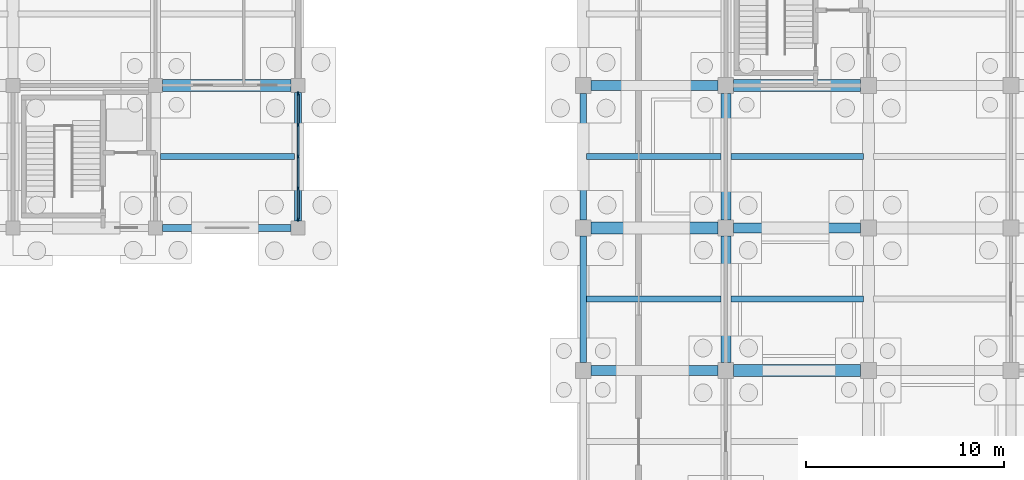
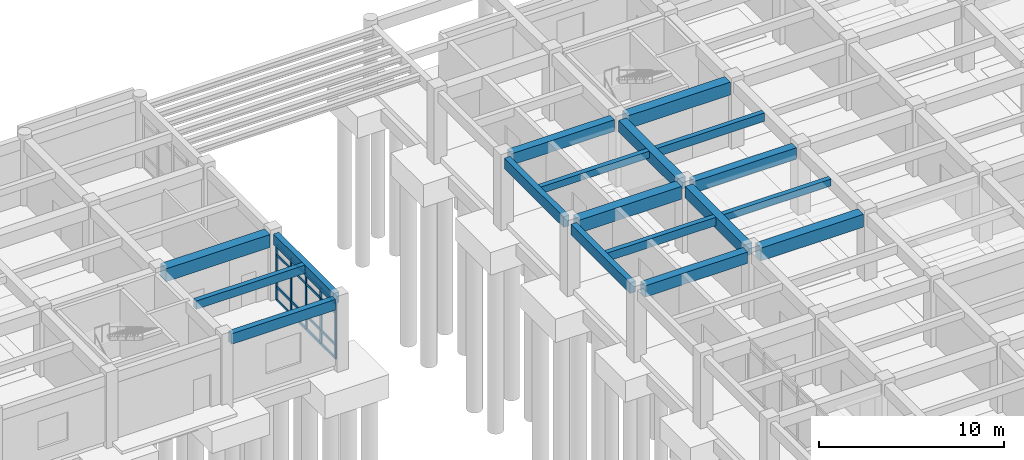
# One storey, part 32 of 79: 21 members, 18 beams, 1 element without a shape of its own.
"""IFC4 building model written with IfcOpenShell, lengths in metres."""

from ifc_helpers import new_model, si_unit, direction, frame, origin, origin_2d, place, context, subcontext, project, spatial, rectangle, extrude, material, layer, layer_set, material_profile, profile_set, type_object, element, aggregate, save


model = new_model("IFC4")

# Units and contexts
model_context = context("Model", 3, precision=1e-05, world=origin(), true_north=direction((0.0, 1.0)))
body_context = subcontext(model_context, "Body", "Model", "MODEL_VIEW")
ifc_project = project(units=[si_unit("LENGTHUNIT", "METRE"), si_unit("AREAUNIT", "SQUARE_METRE"), si_unit("VOLUMEUNIT", "CUBIC_METRE"), si_unit("PLANEANGLEUNIT", "RADIAN"), si_unit("MASSUNIT", "GRAM", prefix="KILO")], contexts=[model_context])

# Site, building, storey
site_placement = place(None, origin())
site = spatial("IfcSite", under=ifc_project, at=site_placement, CompositionType="ELEMENT")
building_placement = place(site_placement, origin())
building = spatial("IfcBuilding", under=site, at=building_placement, Name="Kavelor Marine Aquarium", CompositionType="ELEMENT")
storey_placement = place(building_placement, origin())
storey = spatial("IfcBuildingStorey", under=building, at=storey_placement, Name="L00", CompositionType="ELEMENT", Elevation=0.0)

# Beams
ifc_material_1 = material(Name="Concrete C40/50", Category="concrete")
ifc_material_profile_1 = material_profile(ifc_material_1, rectangle(XDim=0.60009765625, YDim=0.85009765625, at=origin_2d()), Name="RC-BM 600x850")
ifc_profile_set_1 = profile_set([ifc_material_profile_1], Name="Concrete C40/50")
beam_type_1 = type_object("IfcBeamType", Name="BM-B1", PredefinedType="BEAM", material=ifc_profile_set_1)
beam_1_placement = place(storey_placement, frame((97.14990234375, 96.39990234375, 3.955078125), z_axis=(1.0, 0.0, 0.0), x_axis=(0.0, 1.0, 0.0)))
element("IfcBeam", 1, at=beam_1_placement, inside=storey, type_object=beam_type_1, Name="bm:x:L00:L01:13_13", PredefinedType="BEAM", context=body_context, shape_type="SweptSolid", body=[
    extrude(rectangle(XDim=0.60009765625, YDim=0.85009765625, at=origin_2d()), origin(), (0.0, 0.0, 1.0), 6.5),
])
for number, where, z_axis, x_axis, name in (
    (2, (118.800048828125, 89.199951171875, 3.955078125), (1.0, 0.0, 0.0), (0.0, 1.0, 0.0), "bm:x:L00:L01:16_12"),
    (3, (126.0, 82.0, 3.955078125), (1.0, 0.0, 0.0), (0.0, 1.0, 0.0), "bm:x:L00:L01:17_11"),
    (4, (126.0, 96.39990234375, 3.955078125), (1.0, 0.0, 0.0), (0.0, 1.0, 0.0), "bm:x:L00:L01:17_13"),
):
    element("IfcBeam", number, at=place(storey_placement, frame(where, z_axis=z_axis, x_axis=x_axis)), inside=storey, type_object=beam_type_1, Name=name, PredefinedType="BEAM", context=body_context, shape_type="SweptSolid", body=[
        extrude(rectangle(XDim=0.60009765625, YDim=0.85009765625, at=origin_2d()), origin(), (0.0, 0.0, 1.0), 6.39990234375),
    ])
ifc_material_2 = material(Name="Concrete C40/50", Category="concrete")
ifc_material_profile_2 = material_profile(ifc_material_2, rectangle(XDim=0.5, YDim=0.75, at=origin_2d()), Name="RC-BM 500x750")
ifc_profile_set_2 = profile_set([ifc_material_profile_2], Name="Concrete C40/50")
beam_type_2 = type_object("IfcBeamType", Name="BM-B2", PredefinedType="BEAM", material=ifc_profile_set_2)
for number, where, z_axis, x_axis, name in (
    (5, (118.800048828125, 82.0, 4.0048828125), (1.0, 0.0, 0.0), (0.0, 1.0, 0.0), "bm:x:L00:L01:16_11"),
    (6, (118.800048828125, 96.39990234375, 4.0048828125), (1.0, 0.0, 0.0), (0.0, 1.0, 0.0), "bm:x:L00:L01:16_13"),
    (7, (126.0, 89.199951171875, 4.0048828125), (1.0, 0.0, 0.0), (0.0, 1.0, 0.0), "bm:x:L00:L01:17_12"),
):
    element("IfcBeam", number, at=place(storey_placement, frame(where, z_axis=z_axis, x_axis=x_axis)), inside=storey, type_object=beam_type_2, Name=name, PredefinedType="BEAM", context=body_context, shape_type="SweptSolid", body=[
        extrude(rectangle(XDim=0.5, YDim=0.75, at=origin_2d()), origin(), (0.0, 0.0, 1.0), 6.39990234375),
    ])
beam_2_placement = place(storey_placement, frame((125.60009765625, 82.39990234375, 4.0048828125), z_axis=(0.0, 1.0, 0.0), x_axis=(-1.0, 0.0, 0.0)))
element("IfcBeam", 8, at=beam_2_placement, inside=storey, type_object=beam_type_2, Name="bm:y:L00:L01:17_11", PredefinedType="BEAM", context=body_context, shape_type="SweptSolid", body=[
    extrude(rectangle(XDim=0.5, YDim=0.75, at=origin_2d()), origin(), (0.0, 0.0, 1.0), 6.400146484375),
])
beam_3_placement = place(storey_placement, frame((125.60009765625, 89.60009765625, 4.0048828125), z_axis=(0.0, 1.0, 0.0), x_axis=(-1.0, 0.0, 0.0)))
element("IfcBeam", 9, at=beam_3_placement, inside=storey, type_object=beam_type_2, Name="bm:y:L00:L01:17_12", PredefinedType="BEAM", context=body_context, shape_type="SweptSolid", body=[
    extrude(rectangle(XDim=0.5, YDim=0.75, at=origin_2d()), origin(), (0.0, 0.0, 1.0), 6.39990234375),
])
ifc_material_3 = material(Name="Concrete C40/50", Category="concrete")
ifc_material_profile_3 = material_profile(ifc_material_3, rectangle(XDim=0.300048828125, YDim=0.449951171875, at=origin_2d()), Name="RC-JS 300x450")
ifc_profile_set_3 = profile_set([ifc_material_profile_3], Name="Concrete C40/50")
beam_type_3 = type_object("IfcBeamType", Name="BM-JS1", PredefinedType="JOIST", material=ifc_profile_set_3)
beam_4_placement = place(storey_placement, frame((118.574951171875, 92.800048828125, 4.155029296875), z_axis=(1.0, 0.0, 0.0), x_axis=(0.0, 1.0, 0.0)))
element("IfcBeam", 10, at=beam_4_placement, inside=storey, type_object=beam_type_3, Name="js:L00:L01:16_12", PredefinedType="JOIST", context=body_context, shape_type="SweptSolid", body=[
    extrude(rectangle(XDim=0.300048828125, YDim=0.449951171875, at=origin_2d()), origin(), (0.0, 0.0, 1.0), 6.775146484375),
])
beam_5_placement = place(storey_placement, frame((125.85009765625, 85.60009765625, 4.155029296875), z_axis=(1.0, 0.0, 0.0), x_axis=(0.0, 1.0, 0.0)))
element("IfcBeam", 11, at=beam_5_placement, inside=storey, type_object=beam_type_3, Name="js:L00:L01:17_11", PredefinedType="JOIST", context=body_context, shape_type="SweptSolid", body=[
    extrude(rectangle(XDim=0.300048828125, YDim=0.449951171875, at=origin_2d()), origin(), (0.0, 0.0, 1.0), 6.699951171875),
])
ifc_material_4 = material(Name="Concrete C40/50", Category="concrete")
ifc_material_profile_4 = material_profile(ifc_material_4, rectangle(XDim=0.300048828125, YDim=0.550048828125, at=origin_2d()), Name="RC-JS 300x550")
ifc_profile_set_4 = profile_set([ifc_material_profile_4], Name="Concrete C40/50")
beam_type_4 = type_object("IfcBeamType", Name="BM-JS2", PredefinedType="JOIST", material=ifc_profile_set_4)
beam_6_placement = place(storey_placement, frame((97.050048828125, 92.800048828125, 4.10498046875), z_axis=(1.0, 0.0, 0.0), x_axis=(0.0, 1.0, 0.0)))
element("IfcBeam", 12, at=beam_6_placement, inside=storey, type_object=beam_type_4, Name="js:L00:L01:13_12", PredefinedType="JOIST", context=body_context, shape_type="SweptSolid", body=[
    extrude(rectangle(XDim=0.300048828125, YDim=0.550048828125, at=origin_2d()), origin(), (0.0, 0.0, 1.0), 6.77490234375),
])
beam_7_placement = place(storey_placement, frame((118.574951171875, 85.60009765625, 4.10498046875), z_axis=(1.0, 0.0, 0.0), x_axis=(0.0, 1.0, 0.0)))
element("IfcBeam", 13, at=beam_7_placement, inside=storey, type_object=beam_type_4, Name="js:L00:L01:16_11", PredefinedType="JOIST", context=body_context, shape_type="SweptSolid", body=[
    extrude(rectangle(XDim=0.300048828125, YDim=0.550048828125, at=origin_2d()), origin(), (0.0, 0.0, 1.0), 6.775146484375),
])
beam_8_placement = place(storey_placement, frame((125.85009765625, 92.800048828125, 4.10498046875), z_axis=(1.0, 0.0, 0.0), x_axis=(0.0, 1.0, 0.0)))
element("IfcBeam", 14, at=beam_8_placement, inside=storey, type_object=beam_type_4, Name="js:L00:L01:17_12", PredefinedType="JOIST", context=body_context, shape_type="SweptSolid", body=[
    extrude(rectangle(XDim=0.300048828125, YDim=0.550048828125, at=origin_2d()), origin(), (0.0, 0.0, 1.0), 6.699951171875),
])
ifc_material_5 = material(Name="Concrete C40/50", Category="concrete")
ifc_material_profile_5 = material_profile(ifc_material_5, rectangle(XDim=0.35009765625, YDim=0.699951171875, at=origin_2d()), Name="RC-SP 350x700")
ifc_profile_set_5 = profile_set([ifc_material_profile_5], Name="Concrete C40/50")
beam_type_5 = type_object("IfcBeamType", Name="BM-SP1", PredefinedType="SPANDREL", material=ifc_profile_set_5)
for number, where, z_axis, x_axis, name in (
    (15, (97.14990234375, 89.199951171875, 4.030029296875), (1.0, 0.0, 0.0), (0.0, 1.0, 0.0), "bm:x:L00:L01:13_12"),
    (16, (104.0, 89.550048828125, 4.030029296875), (0.0, 1.0, 0.0), (-1.0, 0.0, 0.0), "bm:y:L00:L01:14_12"),
):
    element("IfcBeam", number, at=place(storey_placement, frame(where, z_axis=z_axis, x_axis=x_axis)), inside=storey, type_object=beam_type_5, Name=name, PredefinedType="SPANDREL", context=body_context, shape_type="SweptSolid", body=[
        extrude(rectangle(XDim=0.35009765625, YDim=0.699951171875, at=origin_2d()), origin(), (0.0, 0.0, 1.0), 6.5),
    ])
beam_9_placement = place(storey_placement, frame((118.39990234375, 82.39990234375, 4.030029296875), z_axis=(0.0, 1.0, 0.0), x_axis=(-1.0, 0.0, 0.0)))
element("IfcBeam", 17, at=beam_9_placement, inside=storey, type_object=beam_type_5, Name="bm:y:L00:L01:16_11", PredefinedType="SPANDREL", context=body_context, shape_type="SweptSolid", body=[
    extrude(rectangle(XDim=0.35009765625, YDim=0.699951171875, at=origin_2d()), origin(), (0.0, 0.0, 1.0), 6.400146484375),
])
beam_10_placement = place(storey_placement, frame((118.39990234375, 89.60009765625, 4.030029296875), z_axis=(0.0, 1.0, 0.0), x_axis=(-1.0, 0.0, 0.0)))
element("IfcBeam", 18, at=beam_10_placement, inside=storey, type_object=beam_type_5, Name="bm:y:L00:L01:16_12", PredefinedType="SPANDREL", context=body_context, shape_type="SweptSolid", body=[
    extrude(rectangle(XDim=0.35009765625, YDim=0.699951171875, at=origin_2d()), origin(), (0.0, 0.0, 1.0), 6.39990234375),
])

# Curtain wall, members
ifc_material_6 = material(Name="Thermally Broken Aluminium and Low-E Glass", Category="aluminium")
ifc_layer = layer(ifc_material_6, 0.22802734375)
ifc_layer_set = layer_set([ifc_layer], Name="CW-SYS11")
curtain_wall_type = type_object("IfcCurtainWallType", Name="CW-SYS11", PredefinedType="USERDEFINED", material=ifc_layer_set)
curtain_wall_placement = place(storey_placement, origin())
curtain_wall = element("IfcCurtainWall", 19, at=curtain_wall_placement, inside=storey, type_object=curtain_wall_type, Name="cw:y:L00:14_12", ObjectType="Curtain Wall", PredefinedType="USERDEFINED")
ifc_material_7 = material(Name="Anodised Aluminium Alloy 6063-T6", Category="aluminium")
ifc_material_profile_6 = material_profile(ifc_material_7, rectangle(XDim=0.080078125, YDim=0.18505859375, at=origin_2d()), Name="CW-MUL 80x185")
ifc_profile_set_6 = profile_set([ifc_material_profile_6], Name="Anodised Aluminium Alloy 6063-T6")
member_type_1 = type_object("IfcMemberType", Name="CWM-2", PredefinedType="MULLION", material=ifc_profile_set_6)
member_1_placement = place(storey_placement, frame((104.0, 89.62744140625, 0.0), z_axis=(0.0, 0.0, 1.0), x_axis=(-1.0, 0.0, 0.0)))
member_1 = element("IfcMember", 20, at=member_1_placement, type_object=member_type_1, Name="CW11 mullion 1", PredefinedType="MULLION", context=body_context, shape_type="SweptSolid", body=[
    extrude(rectangle(XDim=0.080078125, YDim=0.18505859375, at=origin_2d()), origin(), (0.0, 0.0, 1.0), 3.669921875),
])
member_2_placement = place(storey_placement, frame((104.0, 91.197509765625, 0.0), z_axis=(0.0, 0.0, 1.0), x_axis=(-1.0, 0.0, 0.0)))
member_2 = element("IfcMember", 21, at=member_2_placement, type_object=member_type_1, Name="CW11 mullion 2", PredefinedType="MULLION", context=body_context, shape_type="SweptSolid", body=[
    extrude(rectangle(XDim=0.080078125, YDim=0.18505859375, at=origin_2d()), origin(), (0.0, 0.0, 1.0), 3.669921875),
])
member_3_placement = place(storey_placement, frame((104.0, 92.800048828125, 0.0), z_axis=(0.0, 0.0, 1.0), x_axis=(-1.0, 0.0, 0.0)))
member_3 = element("IfcMember", 22, at=member_3_placement, type_object=member_type_1, Name="CW11 mullion 3", PredefinedType="MULLION", context=body_context, shape_type="SweptSolid", body=[
    extrude(rectangle(XDim=0.080078125, YDim=0.18505859375, at=origin_2d()), origin(), (0.0, 0.0, 1.0), 3.669921875),
])
member_4_placement = place(storey_placement, frame((104.0, 94.402587890625, 0.0), z_axis=(0.0, 0.0, 1.0), x_axis=(-1.0, 0.0, 0.0)))
member_4 = element("IfcMember", 23, at=member_4_placement, type_object=member_type_1, Name="CW11 mullion 4", PredefinedType="MULLION", context=body_context, shape_type="SweptSolid", body=[
    extrude(rectangle(XDim=0.080078125, YDim=0.18505859375, at=origin_2d()), origin(), (0.0, 0.0, 1.0), 3.669921875),
])
member_5_placement = place(storey_placement, frame((104.0, 95.972412109375, 0.0), z_axis=(0.0, 0.0, 1.0), x_axis=(-1.0, 0.0, 0.0)))
member_5 = element("IfcMember", 24, at=member_5_placement, type_object=member_type_1, Name="CW11 mullion 5", PredefinedType="MULLION", context=body_context, shape_type="SweptSolid", body=[
    extrude(rectangle(XDim=0.080078125, YDim=0.18505859375, at=origin_2d()), origin(), (0.0, 0.0, 1.0), 3.669921875),
])
ifc_material_8 = material(Name="Anodised Aluminium Alloy 6063-T6", Category="aluminium")
ifc_material_profile_7 = material_profile(ifc_material_8, rectangle(XDim=0.0849609375, YDim=0.159912109375, at=origin_2d()), Name="CW-TRN 85x160")
ifc_profile_set_7 = profile_set([ifc_material_profile_7], Name="Anodised Aluminium Alloy 6063-T6")
member_type_2 = type_object("IfcMemberType", Name="CWT-3", PredefinedType="USERDEFINED", material=ifc_profile_set_7)
member_6_placement = place(storey_placement, frame((104.0, 89.659912109375, 0.030029296875), z_axis=(0.0, 1.0, 0.0), x_axis=(-1.0, 0.0, 0.0)))
member_6 = element("IfcMember", 25, at=member_6_placement, type_object=member_type_2, Name="CW11 transom 1.1", ObjectType="TRANSOM", PredefinedType="USERDEFINED", context=body_context, shape_type="SweptSolid", body=[
    extrude(rectangle(XDim=0.0849609375, YDim=0.159912109375, at=origin_2d()), origin(), (0.0, 0.0, 1.0), 1.505126953125),
])
member_7_placement = place(storey_placement, frame((104.0, 89.659912109375, 0.89990234375), z_axis=(0.0, 1.0, 0.0), x_axis=(-1.0, 0.0, 0.0)))
member_7 = element("IfcMember", 26, at=member_7_placement, type_object=member_type_2, Name="CW11 transom 1.2", ObjectType="TRANSOM", PredefinedType="USERDEFINED", context=body_context, shape_type="SweptSolid", body=[
    extrude(rectangle(XDim=0.0849609375, YDim=0.159912109375, at=origin_2d()), origin(), (0.0, 0.0, 1.0), 1.505126953125),
])
member_8_placement = place(storey_placement, frame((104.0, 89.659912109375, 3.02001953125), z_axis=(0.0, 1.0, 0.0), x_axis=(-1.0, 0.0, 0.0)))
member_8 = element("IfcMember", 27, at=member_8_placement, type_object=member_type_2, Name="CW11 transom 1.3", ObjectType="TRANSOM", PredefinedType="USERDEFINED", context=body_context, shape_type="SweptSolid", body=[
    extrude(rectangle(XDim=0.0849609375, YDim=0.159912109375, at=origin_2d()), origin(), (0.0, 0.0, 1.0), 1.505126953125),
])
member_9_placement = place(storey_placement, frame((104.0, 89.659912109375, 3.639892578125), z_axis=(0.0, 1.0, 0.0), x_axis=(-1.0, 0.0, 0.0)))
member_9 = element("IfcMember", 28, at=member_9_placement, type_object=member_type_2, Name="CW11 transom 1.4", ObjectType="TRANSOM", PredefinedType="USERDEFINED", context=body_context, shape_type="SweptSolid", body=[
    extrude(rectangle(XDim=0.0849609375, YDim=0.159912109375, at=origin_2d()), origin(), (0.0, 0.0, 1.0), 1.505126953125),
])
member_10_placement = place(storey_placement, frame((104.0, 91.22998046875, 0.030029296875), z_axis=(0.0, 1.0, 0.0), x_axis=(-1.0, 0.0, 0.0)))
member_10 = element("IfcMember", 29, at=member_10_placement, type_object=member_type_2, Name="CW11 transom 2.1", ObjectType="TRANSOM", PredefinedType="USERDEFINED", context=body_context, shape_type="SweptSolid", body=[
    extrude(rectangle(XDim=0.0849609375, YDim=0.159912109375, at=origin_2d()), origin(), (0.0, 0.0, 1.0), 1.53759765625),
])
member_11_placement = place(storey_placement, frame((104.0, 91.22998046875, 0.89990234375), z_axis=(0.0, 1.0, 0.0), x_axis=(-1.0, 0.0, 0.0)))
member_11 = element("IfcMember", 30, at=member_11_placement, type_object=member_type_2, Name="CW11 transom 2.2", ObjectType="TRANSOM", PredefinedType="USERDEFINED", context=body_context, shape_type="SweptSolid", body=[
    extrude(rectangle(XDim=0.0849609375, YDim=0.159912109375, at=origin_2d()), origin(), (0.0, 0.0, 1.0), 1.53759765625),
])
member_12_placement = place(storey_placement, frame((104.0, 91.22998046875, 3.02001953125), z_axis=(0.0, 1.0, 0.0), x_axis=(-1.0, 0.0, 0.0)))
member_12 = element("IfcMember", 31, at=member_12_placement, type_object=member_type_2, Name="CW11 transom 2.3", ObjectType="TRANSOM", PredefinedType="USERDEFINED", context=body_context, shape_type="SweptSolid", body=[
    extrude(rectangle(XDim=0.0849609375, YDim=0.159912109375, at=origin_2d()), origin(), (0.0, 0.0, 1.0), 1.53759765625),
])
member_13_placement = place(storey_placement, frame((104.0, 91.22998046875, 3.639892578125), z_axis=(0.0, 1.0, 0.0), x_axis=(-1.0, 0.0, 0.0)))
member_13 = element("IfcMember", 32, at=member_13_placement, type_object=member_type_2, Name="CW11 transom 2.4", ObjectType="TRANSOM", PredefinedType="USERDEFINED", context=body_context, shape_type="SweptSolid", body=[
    extrude(rectangle(XDim=0.0849609375, YDim=0.159912109375, at=origin_2d()), origin(), (0.0, 0.0, 1.0), 1.53759765625),
])
member_14_placement = place(storey_placement, frame((104.0, 92.83251953125, 0.030029296875), z_axis=(0.0, 1.0, 0.0), x_axis=(-1.0, 0.0, 0.0)))
member_14 = element("IfcMember", 33, at=member_14_placement, type_object=member_type_2, Name="CW11 transom 3.1", ObjectType="TRANSOM", PredefinedType="USERDEFINED", context=body_context, shape_type="SweptSolid", body=[
    extrude(rectangle(XDim=0.0849609375, YDim=0.159912109375, at=origin_2d()), origin(), (0.0, 0.0, 1.0), 1.53759765625),
])
member_15_placement = place(storey_placement, frame((104.0, 92.83251953125, 0.89990234375), z_axis=(0.0, 1.0, 0.0), x_axis=(-1.0, 0.0, 0.0)))
member_15 = element("IfcMember", 34, at=member_15_placement, type_object=member_type_2, Name="CW11 transom 3.2", ObjectType="TRANSOM", PredefinedType="USERDEFINED", context=body_context, shape_type="SweptSolid", body=[
    extrude(rectangle(XDim=0.0849609375, YDim=0.159912109375, at=origin_2d()), origin(), (0.0, 0.0, 1.0), 1.53759765625),
])
member_16_placement = place(storey_placement, frame((104.0, 92.83251953125, 3.02001953125), z_axis=(0.0, 1.0, 0.0), x_axis=(-1.0, 0.0, 0.0)))
member_16 = element("IfcMember", 35, at=member_16_placement, type_object=member_type_2, Name="CW11 transom 3.3", ObjectType="TRANSOM", PredefinedType="USERDEFINED", context=body_context, shape_type="SweptSolid", body=[
    extrude(rectangle(XDim=0.0849609375, YDim=0.159912109375, at=origin_2d()), origin(), (0.0, 0.0, 1.0), 1.53759765625),
])
member_17_placement = place(storey_placement, frame((104.0, 92.83251953125, 3.639892578125), z_axis=(0.0, 1.0, 0.0), x_axis=(-1.0, 0.0, 0.0)))
member_17 = element("IfcMember", 36, at=member_17_placement, type_object=member_type_2, Name="CW11 transom 3.4", ObjectType="TRANSOM", PredefinedType="USERDEFINED", context=body_context, shape_type="SweptSolid", body=[
    extrude(rectangle(XDim=0.0849609375, YDim=0.159912109375, at=origin_2d()), origin(), (0.0, 0.0, 1.0), 1.53759765625),
])
member_18_placement = place(storey_placement, frame((104.0, 94.43505859375, 0.030029296875), z_axis=(0.0, 1.0, 0.0), x_axis=(-1.0, 0.0, 0.0)))
member_18 = element("IfcMember", 37, at=member_18_placement, type_object=member_type_2, Name="CW11 transom 4.1", ObjectType="TRANSOM", PredefinedType="USERDEFINED", context=body_context, shape_type="SweptSolid", body=[
    extrude(rectangle(XDim=0.0849609375, YDim=0.159912109375, at=origin_2d()), origin(), (0.0, 0.0, 1.0), 1.5048828125),
])
member_19_placement = place(storey_placement, frame((104.0, 94.43505859375, 0.89990234375), z_axis=(0.0, 1.0, 0.0), x_axis=(-1.0, 0.0, 0.0)))
member_19 = element("IfcMember", 38, at=member_19_placement, type_object=member_type_2, Name="CW11 transom 4.2", ObjectType="TRANSOM", PredefinedType="USERDEFINED", context=body_context, shape_type="SweptSolid", body=[
    extrude(rectangle(XDim=0.0849609375, YDim=0.159912109375, at=origin_2d()), origin(), (0.0, 0.0, 1.0), 1.5048828125),
])
member_20_placement = place(storey_placement, frame((104.0, 94.43505859375, 3.02001953125), z_axis=(0.0, 1.0, 0.0), x_axis=(-1.0, 0.0, 0.0)))
member_20 = element("IfcMember", 39, at=member_20_placement, type_object=member_type_2, Name="CW11 transom 4.3", ObjectType="TRANSOM", PredefinedType="USERDEFINED", context=body_context, shape_type="SweptSolid", body=[
    extrude(rectangle(XDim=0.0849609375, YDim=0.159912109375, at=origin_2d()), origin(), (0.0, 0.0, 1.0), 1.5048828125),
])
member_21_placement = place(storey_placement, frame((104.0, 94.43505859375, 3.639892578125), z_axis=(0.0, 1.0, 0.0), x_axis=(-1.0, 0.0, 0.0)))
member_21 = element("IfcMember", 40, at=member_21_placement, type_object=member_type_2, Name="CW11 transom 4.4", ObjectType="TRANSOM", PredefinedType="USERDEFINED", context=body_context, shape_type="SweptSolid", body=[
    extrude(rectangle(XDim=0.0849609375, YDim=0.159912109375, at=origin_2d()), origin(), (0.0, 0.0, 1.0), 1.5048828125),
])
aggregate(curtain_wall, [member_1, member_2, member_3, member_4, member_5, member_6, member_7, member_8, member_9, member_10, member_11, member_12, member_13, member_14, member_15, member_16, member_17, member_18, member_19, member_20, member_21])

save(model, "model.ifc")
